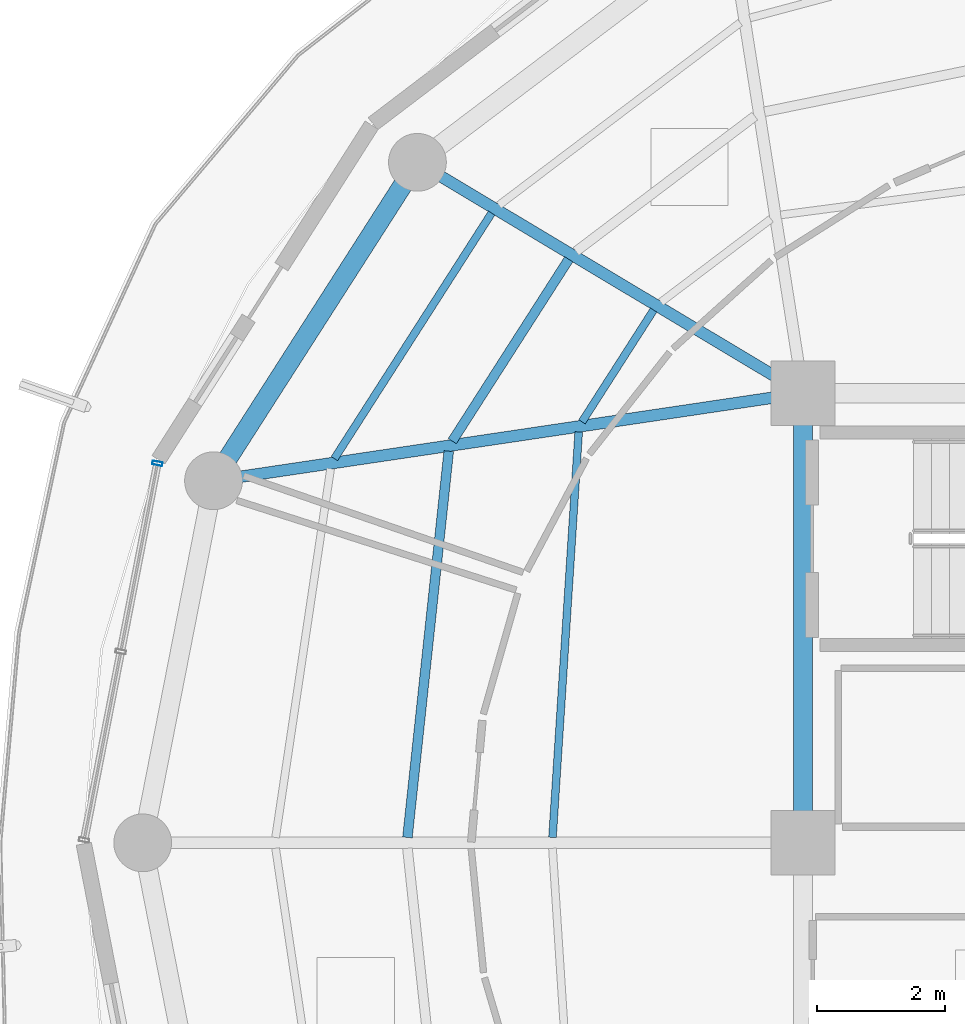
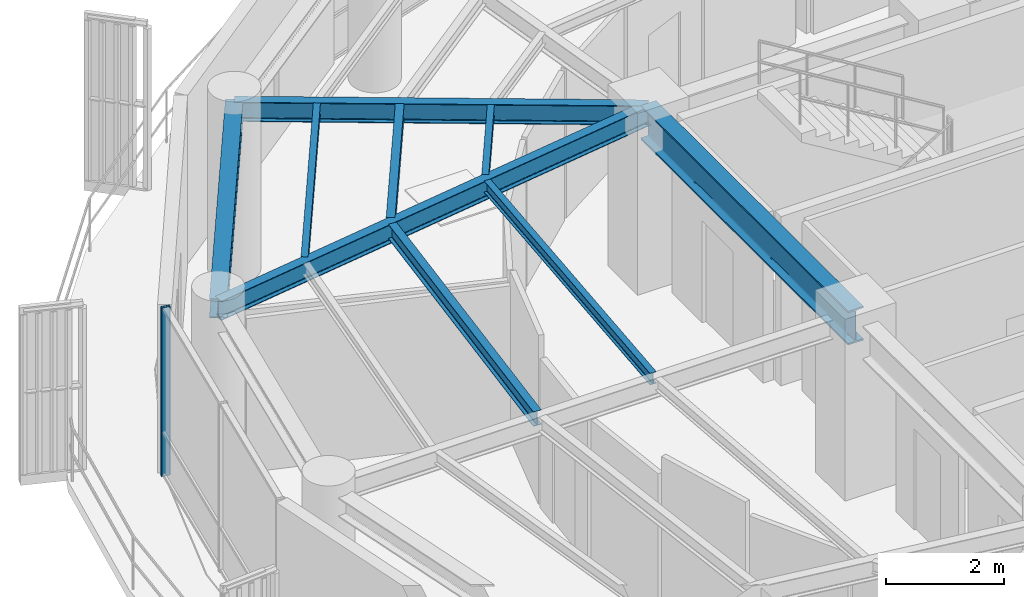
# One storey, part 8 of 23: 9 beams, 1 member, 1 element without a shape of its own.
"""IFC4 building model written with IfcOpenShell, lengths in metres."""

from ifc_helpers import new_model, si_unit, direction, frame, origin, origin_2d, place, context, subcontext, project, spatial, hollow_rectangle, i_section, extrude, material, layer, layer_set, material_profile, profile_set, type_object, element, aggregate, save


model = new_model("IFC4")

# Units and contexts
model_context = context("Model", 3, precision=1e-05, world=origin(), true_north=direction((0.0, 1.0)))
body_context = subcontext(model_context, "Body", "Model", "MODEL_VIEW")
ifc_project = project(units=[si_unit("LENGTHUNIT", "METRE"), si_unit("AREAUNIT", "SQUARE_METRE"), si_unit("VOLUMEUNIT", "CUBIC_METRE"), si_unit("PLANEANGLEUNIT", "RADIAN"), si_unit("MASSUNIT", "GRAM", prefix="KILO")], contexts=[model_context])

# Site, building, storey
site_placement = place(None, origin())
site = spatial("IfcSite", under=ifc_project, at=site_placement, CompositionType="ELEMENT")
building_placement = place(site_placement, origin())
building = spatial("IfcBuilding", under=site, at=building_placement, Name="Kelanora Arch Commons", CompositionType="ELEMENT")
storey_placement = place(building_placement, frame((0.0, 0.0, 286.199951171875)))
storey = spatial("IfcBuildingStorey", under=building, at=storey_placement, Name="L73", CompositionType="ELEMENT", Elevation=286.199951171875)

# Beams
ifc_material_1 = material(Name="Steel S355", Category="steel")
ifc_material_profile_1 = material_profile(ifc_material_1, i_section(OverallWidth=0.300048828125, OverallDepth=0.699951171875, WebThickness=0.01708984375, FlangeThickness=0.031982421875, FilletRadius=0.027099609375, at=origin_2d()), Name="HEB700")
ifc_profile_set_1 = profile_set([ifc_material_profile_1], Name="Steel S355")
beam_type_1 = type_object("IfcBeamType", Name="BM-CORE-HDR", PredefinedType="BEAM", material=ifc_profile_set_1)
beam_1_placement = place(storey_placement, frame((66.0, 65.0, 3.14013671875), z_axis=(0.0, -1.0, 0.0), x_axis=(1.0, 0.0, 0.0)))
element("IfcBeam", 1, at=beam_1_placement, inside=storey, type_object=beam_type_1, Name="Core Header Beam 08 L73", PredefinedType="BEAM", context=body_context, shape_type="SweptSolid", body=[
    extrude(i_section(OverallWidth=0.300048828125, OverallDepth=0.699951171875, WebThickness=0.01708984375, FlangeThickness=0.031982421875, FilletRadius=0.027099609375, at=origin_2d()), origin(), (0.0, 0.0, 1.0), 7.0),
])
ifc_material_profile_2 = material_profile(ifc_material_1, i_section(OverallWidth=0.14990234375, OverallDepth=0.300048828125, WebThickness=0.007080078125, FlangeThickness=0.0107421875, FilletRadius=0.014892578125, at=origin_2d()), Name="IPE300")
ifc_profile_set_2 = profile_set([ifc_material_profile_2], Name="Steel S355")
beam_type_2 = type_object("IfcBeamType", Name="BM-JST-01", PredefinedType="JOIST", material=ifc_profile_set_2)
beam_2_placement = place(storey_placement, frame((62.352294921875, 67.084228515625, 3.340087890625), z_axis=(-0.539321586177, -0.842099891155, 0.0), x_axis=(0.842099891155, -0.539321586177, 0.0)))
element("IfcBeam", 2, at=beam_2_placement, inside=storey, type_object=beam_type_2, Name="Secondary Chord Joist BJB-14 L73", PredefinedType="JOIST", context=body_context, shape_type="SweptSolid", body=[
    extrude(i_section(OverallWidth=0.14990234375, OverallDepth=0.300048828125, WebThickness=0.007080078125, FlangeThickness=0.0107421875, FilletRadius=0.014892578125, at=origin_2d()), origin(), (0.0, 0.0, 1.0), 3.361572265625),
])
beam_3_placement = place(storey_placement, frame((60.484375, 64.097412109375, 3.340087890625), z_axis=(-0.106380594087, -0.994325484538, 0.0), x_axis=(0.994325484538, -0.106380594087, 0.0)))
element("IfcBeam", 3, at=beam_3_placement, inside=storey, type_object=beam_type_2, Name="Secondary Chord Joist BJB-16 L73", PredefinedType="JOIST", context=body_context, shape_type="SweptSolid", body=[
    extrude(i_section(OverallWidth=0.14990234375, OverallDepth=0.300048828125, WebThickness=0.007080078125, FlangeThickness=0.0107421875, FilletRadius=0.014892578125, at=origin_2d()), origin(), (0.0, 0.0, 1.0), 6.04736328125),
])
ifc_material_profile_3 = material_profile(ifc_material_1, i_section(OverallWidth=0.1201171875, OverallDepth=0.239990234375, WebThickness=0.006103515625, FlangeThickness=0.009765625, FilletRadius=0.014892578125, at=origin_2d()), Name="IPE240")
ifc_profile_set_3 = profile_set([ifc_material_profile_3], Name="Steel S355")
beam_type_3 = type_object("IfcBeamType", Name="BM-JST-02", PredefinedType="JOIST", material=ifc_profile_set_3)
beam_4_placement = place(storey_placement, frame((63.6728515625, 66.293701171875, 3.3701171875), z_axis=(-0.539311810315, -0.842106152011, 0.0), x_axis=(0.842106152011, -0.539311810315, 0.0)))
element("IfcBeam", 4, at=beam_4_placement, inside=storey, type_object=beam_type_3, Name="Secondary Chord Joist BJA-14 L73", PredefinedType="JOIST", context=body_context, shape_type="SweptSolid", body=[
    extrude(i_section(OverallWidth=0.1201171875, OverallDepth=0.239990234375, WebThickness=0.006103515625, FlangeThickness=0.009765625, FilletRadius=0.014892578125, at=origin_2d()), origin(), (0.0, 0.0, 1.0), 2.06640625),
])
beam_5_placement = place(storey_placement, frame((61.151611328125, 67.802978515625, 3.3701171875), z_axis=(-0.539288735289, -0.842120929552, 0.0), x_axis=(0.842120929552, -0.539288735289, 0.0)))
element("IfcBeam", 5, at=beam_5_placement, inside=storey, type_object=beam_type_3, Name="Secondary Chord Joist BJC-14 L73", PredefinedType="JOIST", context=body_context, shape_type="SweptSolid", body=[
    extrude(i_section(OverallWidth=0.1201171875, OverallDepth=0.239990234375, WebThickness=0.006103515625, FlangeThickness=0.009765625, FilletRadius=0.014892578125, at=origin_2d()), origin(), (0.0, 0.0, 1.0), 4.538818359375),
])
beam_6_placement = place(storey_placement, frame((62.507080078125, 64.39697265625, 3.3701171875), z_axis=(-0.064495107978, -0.99791802321, 0.0), x_axis=(0.99791802321, -0.064495107978, 0.0)))
element("IfcBeam", 6, at=beam_6_placement, inside=storey, type_object=beam_type_3, Name="Secondary Chord Joist BJA-16 L73", PredefinedType="JOIST", context=body_context, shape_type="SweptSolid", body=[
    extrude(i_section(OverallWidth=0.1201171875, OverallDepth=0.239990234375, WebThickness=0.006103515625, FlangeThickness=0.009765625, FilletRadius=0.014892578125, at=origin_2d()), origin(), (0.0, 0.0, 1.0), 6.325439453125),
])
ifc_material_profile_4 = material_profile(ifc_material_1, i_section(OverallWidth=0.179931640625, OverallDepth=0.39990234375, WebThickness=0.008544921875, FlangeThickness=0.013427734375, FilletRadius=0.02099609375, at=origin_2d()), Name="IPE400")
ifc_profile_set_4 = profile_set([ifc_material_profile_4], Name="Steel S355")
beam_type_4 = type_object("IfcBeamType", Name="BM-RAD-Z5", PredefinedType="BEAM", material=ifc_profile_set_4)
beam_7_placement = place(storey_placement, frame((66.0, 65.0, 3.2900390625), z_axis=(-0.858062005744, 0.513546097541, 0.0), x_axis=(-0.513546097541, -0.858062005744, 0.0)))
element("IfcBeam", 7, at=beam_7_placement, inside=storey, type_object=beam_type_4, Name="Radial Floor Girder BR-14 L73", PredefinedType="BEAM", context=body_context, shape_type="SweptSolid", body=[
    extrude(i_section(OverallWidth=0.179931640625, OverallDepth=0.39990234375, WebThickness=0.008544921875, FlangeThickness=0.013427734375, FilletRadius=0.02099609375, at=origin_2d()), origin(), (0.0, 0.0, 1.0), 6.99658203125),
])
beam_8_placement = place(storey_placement, frame((66.0, 65.0, 3.2900390625), z_axis=(-0.989142485564, -0.146959665395, 0.0), x_axis=(0.146959665395, -0.989142485564, 0.0)))
element("IfcBeam", 8, at=beam_8_placement, inside=storey, type_object=beam_type_4, Name="Radial Floor Girder BR-16 L73", PredefinedType="BEAM", context=body_context, shape_type="SweptSolid", body=[
    extrude(i_section(OverallWidth=0.179931640625, OverallDepth=0.39990234375, WebThickness=0.008544921875, FlangeThickness=0.013427734375, FilletRadius=0.02099609375, at=origin_2d()), origin(), (0.0, 0.0, 1.0), 9.2783203125),
])
ifc_material_profile_5 = material_profile(ifc_material_1, i_section(OverallWidth=0.300048828125, OverallDepth=0.39990234375, WebThickness=0.013427734375, FlangeThickness=0.02392578125, FilletRadius=0.027099609375, at=origin_2d()), Name="HEB400")
ifc_profile_set_5 = profile_set([ifc_material_profile_5], Name="Steel S355")
beam_type_5 = type_object("IfcBeamType", Name="BM-SPN-Z4", PredefinedType="SPANDREL", material=ifc_profile_set_5)
beam_9_placement = place(storey_placement, frame((59.99658203125, 68.593017578125, 3.2900390625), z_axis=(-0.539280851353, -0.842125978322, 0.0), x_axis=(0.842125978322, -0.539280851353, 0.0)))
element("IfcBeam", 9, at=beam_9_placement, inside=storey, type_object=beam_type_5, Name="Perimeter Spandrel Beam BS-14 L73", PredefinedType="SPANDREL", context=body_context, shape_type="SweptSolid", body=[
    extrude(i_section(OverallWidth=0.300048828125, OverallDepth=0.39990234375, WebThickness=0.013427734375, FlangeThickness=0.02392578125, FilletRadius=0.027099609375, at=origin_2d()), origin(), (0.0, 0.0, 1.0), 5.8857421875),
])

# Curtain wall, member
ifc_material_2 = material(Name="Terracotta ceramic-fritted low-E glass and aluminium", Category="masonry")
ifc_layer = layer(ifc_material_2, 0.18994140625)
ifc_layer_set = layer_set([ifc_layer], Name="Terracotta ceramic-fritted low-E glass and aluminium")
curtain_wall_type = type_object("IfcCurtainWallType", Name="CW-SYS-03", PredefinedType="NOTDEFINED", material=ifc_layer_set)
curtain_wall_placement = place(storey_placement, origin())
curtain_wall = element("IfcCurtainWall", 10, at=curtain_wall_placement, inside=storey, type_object=curtain_wall_type, Name="Unitised Curtain Wall L73-B08", PredefinedType="NOTDEFINED")
ifc_material_3 = material(Name="Powder-coated aluminium terracotta", Category="masonry")
ifc_material_profile_6 = material_profile(ifc_material_3, hollow_rectangle(XDim=0.159912109375, YDim=0.06005859375, WallThickness=0.0048828125, InnerFilletRadius=0.0048828125, OuterFilletRadius=0.010009765625, at=origin_2d()), Name="CWM160x60")
ifc_profile_set_6 = profile_set([ifc_material_profile_6], Name="Powder-coated aluminium terracotta")
member_type = type_object("IfcMemberType", Name="CWM-STD", PredefinedType="MULLION", material=ifc_profile_set_6)
member_placement = place(storey_placement, frame((55.94921875, 63.906982421875, 0.0), z_axis=(0.0, 0.0, 1.0), x_axis=(0.981595542501, -0.190971701941, 0.0)))
member = element("IfcMember", 11, at=member_placement, type_object=member_type, Name="CW-03 mullion 1", PredefinedType="MULLION", context=body_context, shape_type="SweptSolid", body=[
    extrude(hollow_rectangle(XDim=0.159912109375, YDim=0.06005859375, WallThickness=0.0048828125, InnerFilletRadius=0.0048828125, OuterFilletRadius=0.010009765625, at=origin_2d()), origin(), (0.0, 0.0, 1.0), 3.47509765625),
])
aggregate(curtain_wall, [member])

save(model, "model.ifc")
